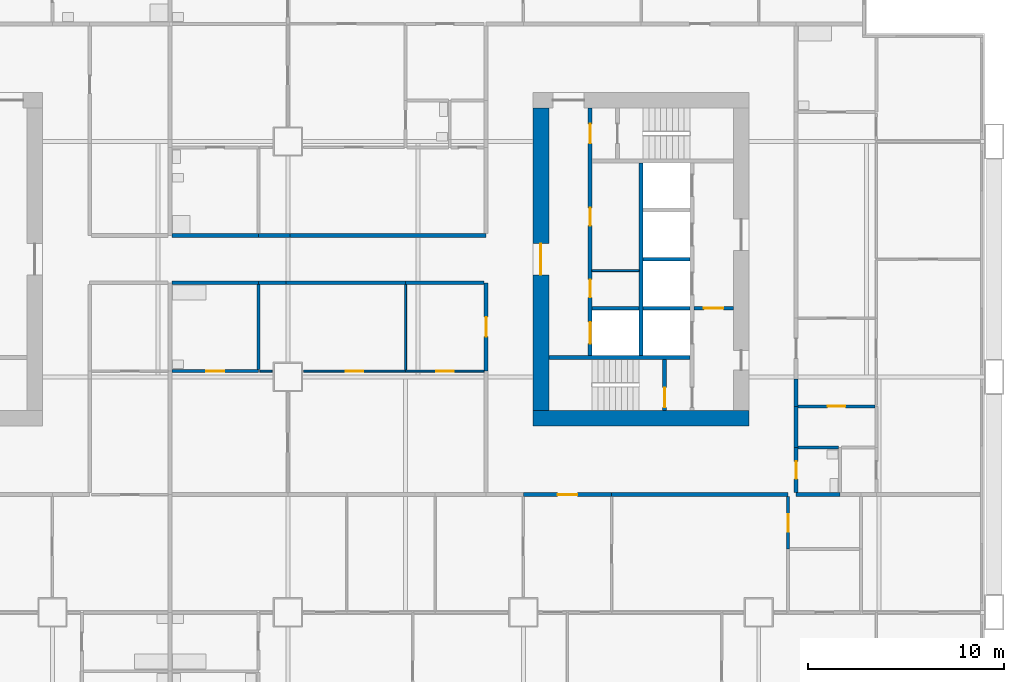
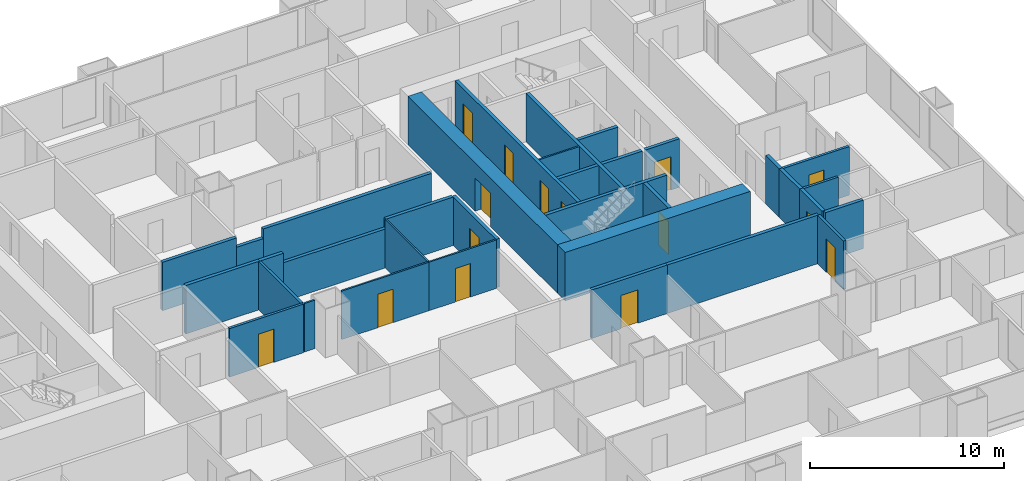
# One storey, part 6 of 13: 34 walls, 15 doors, 15 openings.
"""IFC4 building model written with IfcOpenShell, lengths in metres."""

from ifc_helpers import new_model, si_unit, direction, frame, frame_2d, origin, place, context, subcontext, project, spatial, rectangle, extrude, material, layer, layer_set, type_object, element, fill, save


model = new_model("IFC4")

# Units and contexts
model_context = context("Model", 3, precision=1e-05, world=origin(), true_north=direction((0.0, 1.0)))
body_context = subcontext(model_context, "Body", "Model", "MODEL_VIEW")
ifc_project = project(units=[si_unit("LENGTHUNIT", "METRE"), si_unit("AREAUNIT", "SQUARE_METRE"), si_unit("VOLUMEUNIT", "CUBIC_METRE"), si_unit("PLANEANGLEUNIT", "RADIAN"), si_unit("MASSUNIT", "GRAM", prefix="KILO")], contexts=[model_context])

# Site, building, storey
site_placement = place(None, origin())
site = spatial("IfcSite", under=ifc_project, at=site_placement, CompositionType="ELEMENT")
building_placement = place(site_placement, origin())
building = spatial("IfcBuilding", under=site, at=building_placement, Name="Kitamizu Gate Tower and Museum", CompositionType="ELEMENT")
storey_placement = place(building_placement, frame((0.0, 0.0, 40.35009765625)))
storey = spatial("IfcBuildingStorey", under=building, at=storey_placement, Name="L08", CompositionType="ELEMENT", Elevation=40.35009765625)

# Wall
ifc_material_1 = material(Name="Concrete Fc60", Category="concrete")
ifc_layer_1 = layer(ifc_material_1, 0.800048828125)
ifc_layer_set_1 = layer_set([ifc_layer_1], Name="Concrete Fc60")
wall_type_1 = type_object("IfcWallType", Name="Core wall 800", PredefinedType="SHEAR", material=ifc_layer_set_1)
wall_1_placement = place(storey_placement, frame((59.5, 21.89990234375, 0.0), z_axis=(0.0, 0.0, 1.0), x_axis=(-1.0, 0.0, 0.0)))
element("IfcWall", 1, at=wall_1_placement, inside=storey, type_object=wall_type_1, Name="Core wall ES", PredefinedType="SHEAR", context=body_context, shape_type="SweptSolid", body=[
    extrude(rectangle(XDim=11.0, YDim=0.800048828125, at=frame_2d((5.5, 0.0))), origin(), (0.0, 0.0, 1.0), 3.0498046875),
])

# Wall, opening, door
wall_2_placement = place(storey_placement, frame((48.89990234375, 22.300048828125, 0.0), z_axis=(0.0, 0.0, 1.0), x_axis=(0.0, 1.0, 0.0)))
wall_2 = element("IfcWall", 2, at=wall_2_placement, inside=storey, type_object=wall_type_1, Name="Core wall EARC", PredefinedType="SHEAR", context=body_context, shape_type="SweptSolid", body=[
    extrude(rectangle(XDim=15.39990234375, YDim=0.800048828125, at=frame_2d((7.699951171875, 0.0))), origin(), (0.0, 0.0, 1.0), 3.0498046875),
])
opening_1_placement = place(wall_2_placement, frame((6.89990234375, 0.0, 0.0)))
opening_1 = element("IfcOpeningElement", 3, at=opening_1_placement, cuts=wall_2, Name="Opening L08-098", PredefinedType="OPENING", context=body_context, shape_type="SweptSolid", body=[
    extrude(rectangle(XDim=1.60009765625, YDim=2.10009765625, at=frame_2d((0.800048828125, 1.050048828125))), frame((0.0, 0.41015625, 0.0), z_axis=(0.0, -1.0, 0.0), x_axis=(1.0, 0.0, 0.0)), (0.0, 0.0, 1.0), 0.820068359375),
])
ifc_material_2 = material(Name="Timber door set", Category="wood")
door_type_1 = type_object("IfcDoorType", Name="Entrance door 1600", OperationType="DOUBLE_DOOR_SINGLE_SWING", PredefinedType="DOOR", material=ifc_material_2)
door_1_placement = place(opening_1_placement, origin())
door_1 = element("IfcDoor", 4, at=door_1_placement, inside=storey, type_object=door_type_1, Name="Lobby door L08-098", OperationType="DOUBLE_DOOR_SINGLE_SWING", OverallHeight=2.10009765625, OverallWidth=1.60009765625, PredefinedType="DOOR", context=body_context, shape_type="SweptSolid", body=[
    extrude(rectangle(XDim=1.60009765625, YDim=2.10009765625, at=frame_2d((0.800048828125, 1.050048828125))), frame((0.0, 0.02490234375, 0.0), z_axis=(0.0, -1.0, 0.0), x_axis=(1.0, 0.0, 0.0)), (0.0, 0.0, 1.0), 0.050048828125),
])
fill(opening_1, door_1)

# Walls
ifc_material_3 = material(Name="Gypsum board on galvanised stud")
ifc_layer_2 = layer(ifc_material_3, 0.10009765625)
ifc_layer_set_2 = layer_set([ifc_layer_2], Name="Gypsum board on galvanised stud")
wall_type_2 = type_object("IfcWallType", Name="Partition 100", PredefinedType="PARTITIONING", material=ifc_layer_set_2)
wall_3_placement = place(storey_placement, frame((53.89990234375, 29.425048828125, 0.0), z_axis=(0.0, 0.0, 1.0), x_axis=(-1.0, 0.0, 0.0)))
element("IfcWall", 5, at=wall_3_placement, inside=storey, type_object=wall_type_2, Name="Partition EPF1", PredefinedType="PARTITIONING", context=body_context, shape_type="SweptSolid", body=[
    extrude(rectangle(XDim=2.39990234375, YDim=0.10009765625, at=frame_2d((1.199951171875, 0.0))), origin(), (0.0, 0.0, 1.0), 3.0498046875),
])
ifc_material_4 = material(Name="Gypsum board on galvanised stud")
ifc_layer_3 = layer(ifc_material_4, 0.10009765625)
ifc_layer_set_3 = layer_set([ifc_layer_3], Name="Gypsum board on galvanised stud")
wall_type_3 = type_object("IfcWallType", Name="Partition 100 NOT RATED", PredefinedType="PARTITIONING", material=ifc_layer_set_3)
wall_4_placement = place(storey_placement, frame((35.199951171875, 24.300048828125, 0.0), z_axis=(0.0, 0.0, 1.0), x_axis=(-1.0, 0.0, 0.0)))
element("IfcWall", 6, at=wall_4_placement, inside=storey, type_object=wall_type_3, Name="Partition L08-103", PredefinedType="PARTITIONING", context=body_context, shape_type="SweptSolid", body=[
    extrude(rectangle(XDim=0.625, YDim=0.10009765625, at=frame_2d((0.3125, 0.0))), origin(), (0.0, 0.0, 1.0), 3.0498046875),
])

# Wall, opening, door
wall_5_placement = place(storey_placement, frame((42.0, 24.300048828125, 0.0), z_axis=(0.0, 0.0, 1.0), x_axis=(-1.0, 0.0, 0.0)))
wall_5 = element("IfcWall", 7, at=wall_5_placement, inside=storey, type_object=wall_type_3, Name="Partition L08-104", PredefinedType="PARTITIONING", context=body_context, shape_type="SweptSolid", body=[
    extrude(rectangle(XDim=5.199951171875, YDim=0.10009765625, at=frame_2d((2.60009765625, 0.0))), origin(), (0.0, 0.0, 1.0), 3.0498046875),
])
opening_2_placement = place(wall_5_placement, frame((2.14990234375, 0.0, 0.0)))
opening_2 = element("IfcOpeningElement", 8, at=opening_2_placement, cuts=wall_5, Name="Opening L08-041", PredefinedType="OPENING", context=body_context, shape_type="SweptSolid", body=[
    extrude(rectangle(XDim=0.89990234375, YDim=2.10009765625, at=frame_2d((0.449951171875, 1.050048828125))), frame((0.0, 0.06005859375, 0.0), z_axis=(0.0, -1.0, 0.0), x_axis=(1.0, 0.0, 0.0)), (0.0, 0.0, 1.0), 0.1201171875),
])
ifc_material_5 = material(Name="Timber door set", Category="wood")
door_type_2 = type_object("IfcDoorType", Name="Room door 900", OperationType="NOTDEFINED", PredefinedType="DOOR", material=ifc_material_5)
door_2_placement = place(opening_2_placement, frame((0.89990234375, 0.0, 0.0), x_axis=(-1.0, 0.0, 0.0)))
door_2 = element("IfcDoor", 9, at=door_2_placement, inside=storey, type_object=door_type_2, Name="Door L08-041", OperationType="SINGLE_SWING_RIGHT", OverallHeight=2.10009765625, OverallWidth=0.89990234375, PredefinedType="DOOR", context=body_context, shape_type="SweptSolid", body=[
    extrude(rectangle(XDim=0.89990234375, YDim=2.10009765625, at=frame_2d((0.449951171875, 1.050048828125))), frame((0.0, 0.02490234375, 0.0), z_axis=(0.0, -1.0, 0.0), x_axis=(1.0, 0.0, 0.0)), (0.0, 0.0, 1.0), 0.050048828125),
])
fill(opening_2, door_2)

wall_6_placement = place(storey_placement, frame((46.0, 24.300048828125, 0.0), z_axis=(0.0, 0.0, 1.0), x_axis=(-1.0, 0.0, 0.0)))
wall_6 = element("IfcWall", 10, at=wall_6_placement, inside=storey, type_object=wall_type_3, Name="Partition L08-105", PredefinedType="PARTITIONING", context=body_context, shape_type="SweptSolid", body=[
    extrude(rectangle(XDim=4.0, YDim=0.10009765625, at=frame_2d((2.0, 0.0))), origin(), (0.0, 0.0, 1.0), 3.0498046875),
])
opening_3_placement = place(wall_6_placement, frame((1.550048828125, 0.0, 0.0)))
opening_3 = element("IfcOpeningElement", 11, at=opening_3_placement, cuts=wall_6, Name="Opening L08-038", PredefinedType="OPENING", context=body_context, shape_type="SweptSolid", body=[
    extrude(rectangle(XDim=0.89990234375, YDim=2.10009765625, at=frame_2d((0.449951171875, 1.050048828125))), frame((0.0, 0.06005859375, 0.0), z_axis=(0.0, -1.0, 0.0), x_axis=(1.0, 0.0, 0.0)), (0.0, 0.0, 1.0), 0.1201171875),
])
door_3_placement = place(opening_3_placement, origin())
door_3 = element("IfcDoor", 12, at=door_3_placement, inside=storey, type_object=door_type_2, Name="Door L08-038", OperationType="SINGLE_SWING_RIGHT", OverallHeight=2.10009765625, OverallWidth=0.89990234375, PredefinedType="DOOR", context=body_context, shape_type="SweptSolid", body=[
    extrude(rectangle(XDim=0.89990234375, YDim=2.10009765625, at=frame_2d((0.449951171875, 1.050048828125))), frame((0.0, 0.02490234375, 0.0), z_axis=(0.0, -1.0, 0.0), x_axis=(1.0, 0.0, 0.0)), (0.0, 0.0, 1.0), 0.050048828125),
])
fill(opening_3, door_3)

# Wall
wall_7_placement = place(storey_placement, frame((42.0, 24.35009765625, 0.0), z_axis=(0.0, 0.0, 1.0), x_axis=(0.0, 1.0, 0.0)))
element("IfcWall", 13, at=wall_7_placement, inside=storey, type_object=wall_type_3, Name="Partition L08-109", PredefinedType="PARTITIONING", context=body_context, shape_type="SweptSolid", body=[
    extrude(rectangle(XDim=4.349853515625, YDim=0.10009765625, at=frame_2d((2.1748046875, 0.0))), origin(), (0.0, 0.0, 1.0), 3.0498046875),
])

# Wall, opening, door
ifc_material_6 = material(Name="Gypsum board on galvanised stud")
ifc_layer_4 = layer(ifc_material_6, 0.14990234375)
ifc_layer_set_4 = layer_set([ifc_layer_4], Name="Gypsum board on galvanised stud")
wall_type_4 = type_object("IfcWallType", Name="Partition 150", PredefinedType="PARTITIONING", material=ifc_layer_set_4)
wall_8_placement = place(storey_placement, frame((61.5, 15.22900390625, 0.0), z_axis=(0.0, 0.0, 1.0), x_axis=(0.0, 1.0, 0.0)))
wall_8 = element("IfcWall", 14, at=wall_8_placement, inside=storey, type_object=wall_type_4, Name="Partition L08-092", PredefinedType="PARTITIONING", context=body_context, shape_type="SweptSolid", body=[
    extrude(rectangle(XDim=2.6708984375, YDim=0.14990234375, at=frame_2d((1.33544921875, 0.0))), origin(), (0.0, 0.0, 1.0), 3.0498046875),
])
opening_4_placement = place(wall_8_placement, frame((0.885498046875, 0.0, 0.0)))
opening_4 = element("IfcOpeningElement", 15, at=opening_4_placement, cuts=wall_8, Name="Opening L08-036", PredefinedType="OPENING", context=body_context, shape_type="SweptSolid", body=[
    extrude(rectangle(XDim=0.89990234375, YDim=2.10009765625, at=frame_2d((0.449951171875, 1.050048828125))), frame((0.0, 0.0849609375, 0.0), z_axis=(0.0, -1.0, 0.0), x_axis=(1.0, 0.0, 0.0)), (0.0, 0.0, 1.0), 0.169921875),
])
ifc_material_7 = material(Name="Timber door set", Category="wood")
door_type_3 = type_object("IfcDoorType", Name="Bathroom door 900", OperationType="NOTDEFINED", PredefinedType="DOOR", material=ifc_material_7)
door_4_placement = place(opening_4_placement, frame((0.89990234375, 0.0, 0.0), x_axis=(-1.0, 0.0, 0.0)))
door_4 = element("IfcDoor", 16, at=door_4_placement, inside=storey, type_object=door_type_3, Name="Bathroom door L08-036", OperationType="SINGLE_SWING_LEFT", OverallHeight=2.10009765625, OverallWidth=0.89990234375, PredefinedType="DOOR", context=body_context, shape_type="SweptSolid", body=[
    extrude(rectangle(XDim=0.89990234375, YDim=2.10009765625, at=frame_2d((0.449951171875, 1.050048828125))), frame((0.0, 0.02490234375, 0.0), z_axis=(0.0, -1.0, 0.0), x_axis=(1.0, 0.0, 0.0)), (0.0, 0.0, 1.0), 0.050048828125),
])
fill(opening_4, door_4)

wall_9_placement = place(storey_placement, frame((34.5, 24.300048828125, 0.0), z_axis=(0.0, 0.0, 1.0), x_axis=(-1.0, 0.0, 0.0)))
wall_9 = element("IfcWall", 17, at=wall_9_placement, inside=storey, type_object=wall_type_4, Name="Partition L08-102", PredefinedType="PARTITIONING", context=body_context, shape_type="SweptSolid", body=[
    extrude(rectangle(XDim=4.39990234375, YDim=0.14990234375, at=frame_2d((2.199951171875, 0.0))), origin(), (0.0, 0.0, 1.0), 3.0498046875),
])
opening_5_placement = place(wall_9_placement, frame((1.75, 0.0, 0.0)))
opening_5 = element("IfcOpeningElement", 18, at=opening_5_placement, cuts=wall_9, Name="Opening L08-040", PredefinedType="OPENING", context=body_context, shape_type="SweptSolid", body=[
    extrude(rectangle(XDim=0.89990234375, YDim=2.10009765625, at=frame_2d((0.449951171875, 1.050048828125))), frame((0.0, 0.0849609375, 0.0), z_axis=(0.0, -1.0, 0.0), x_axis=(1.0, 0.0, 0.0)), (0.0, 0.0, 1.0), 0.169921875),
])
door_5_placement = place(opening_5_placement, frame((0.89990234375, 0.0, 0.0), x_axis=(-1.0, 0.0, 0.0)))
door_5 = element("IfcDoor", 19, at=door_5_placement, inside=storey, type_object=door_type_3, Name="Bathroom door L08-040", OperationType="SINGLE_SWING_LEFT", OverallHeight=2.10009765625, OverallWidth=0.89990234375, PredefinedType="DOOR", context=body_context, shape_type="SweptSolid", body=[
    extrude(rectangle(XDim=0.89990234375, YDim=2.10009765625, at=frame_2d((0.449951171875, 1.050048828125))), frame((0.0, 0.02490234375, 0.0), z_axis=(0.0, -1.0, 0.0), x_axis=(1.0, 0.0, 0.0)), (0.0, 0.0, 1.0), 0.050048828125),
])
fill(opening_5, door_5)

# Walls
wall_10_placement = place(storey_placement, frame((34.5, 24.375, 0.0), z_axis=(0.0, 0.0, 1.0), x_axis=(0.0, 1.0, 0.0)))
element("IfcWall", 20, at=wall_10_placement, inside=storey, type_object=wall_type_4, Name="Partition L08-107", PredefinedType="PARTITIONING", context=body_context, shape_type="SweptSolid", body=[
    extrude(rectangle(XDim=4.324951171875, YDim=0.14990234375, at=frame_2d((2.16259765625, 0.0))), origin(), (0.0, 0.0, 1.0), 3.0498046875),
])
wall_11_placement = place(storey_placement, frame((64.074951171875, 20.39990234375, 0.0), z_axis=(0.0, 0.0, 1.0), x_axis=(-1.0, 0.0, 0.0)))
element("IfcWall", 21, at=wall_11_placement, inside=storey, type_object=wall_type_4, Name="Partition L08-202", PredefinedType="PARTITIONING", context=body_context, shape_type="SweptSolid", body=[
    extrude(rectangle(XDim=2.074951171875, YDim=0.14990234375, at=frame_2d((1.03759765625, 0.0))), origin(), (0.0, 0.0, 1.0), 3.0498046875),
])

# Wall, opening, door
wall_12_placement = place(storey_placement, frame((65.925048828125, 22.5, 0.0), z_axis=(0.0, 0.0, 1.0), x_axis=(-1.0, 0.0, 0.0)))
wall_12 = element("IfcWall", 22, at=wall_12_placement, inside=storey, type_object=wall_type_4, Name="Partition L08-205", PredefinedType="PARTITIONING", context=body_context, shape_type="SweptSolid", body=[
    extrude(rectangle(XDim=3.925048828125, YDim=0.14990234375, at=frame_2d((1.96240234375, 0.0))), origin(), (0.0, 0.0, 1.0), 3.0498046875),
])
opening_6_placement = place(wall_12_placement, frame((1.512451171875, 0.0, 0.0)))
opening_6 = element("IfcOpeningElement", 23, at=opening_6_placement, cuts=wall_12, Name="Opening L08-075", PredefinedType="OPENING", context=body_context, shape_type="SweptSolid", body=[
    extrude(rectangle(XDim=0.89990234375, YDim=2.10009765625, at=frame_2d((0.449951171875, 1.050048828125))), frame((0.0, 0.0849609375, 0.0), z_axis=(0.0, -1.0, 0.0), x_axis=(1.0, 0.0, 0.0)), (0.0, 0.0, 1.0), 0.169921875),
])
door_6_placement = place(opening_6_placement, origin())
door_6 = element("IfcDoor", 24, at=door_6_placement, inside=storey, type_object=door_type_3, Name="Bathroom door L08-075", OperationType="SINGLE_SWING_RIGHT", OverallHeight=2.10009765625, OverallWidth=0.89990234375, PredefinedType="DOOR", context=body_context, shape_type="SweptSolid", body=[
    extrude(rectangle(XDim=0.89990234375, YDim=2.10009765625, at=frame_2d((0.449951171875, 1.050048828125))), frame((0.0, 0.02490234375, 0.0), z_axis=(0.0, -1.0, 0.0), x_axis=(1.0, 0.0, 0.0)), (0.0, 0.0, 1.0), 0.050048828125),
])
fill(opening_6, door_6)

ifc_material_8 = material(Name="Gypsum board on galvanised stud")
ifc_layer_5 = layer(ifc_material_8, 0.199951171875)
ifc_layer_set_5 = layer_set([ifc_layer_5], Name="Gypsum board on galvanised stud")
wall_type_5 = type_object("IfcWallType", Name="Partition 200", PredefinedType="PARTITIONING", material=ifc_layer_set_5)
wall_13_placement = place(storey_placement, frame((52.5, 18.0, 0.0), z_axis=(0.0, 0.0, 1.0), x_axis=(-1.0, 0.0, 0.0)))
wall_13 = element("IfcWall", 25, at=wall_13_placement, inside=storey, type_object=wall_type_5, Name="Partition L08-090", PredefinedType="PARTITIONING", context=body_context, shape_type="SweptSolid", body=[
    extrude(rectangle(XDim=4.5, YDim=0.199951171875, at=frame_2d((2.25, 0.0))), origin(), (0.0, 0.0, 1.0), 3.0498046875),
])
opening_7_placement = place(wall_13_placement, frame((1.75, 0.0, 0.0)))
opening_7 = element("IfcOpeningElement", 26, at=opening_7_placement, cuts=wall_13, Name="Opening L08-017", PredefinedType="OPENING", context=body_context, shape_type="SweptSolid", body=[
    extrude(rectangle(XDim=1.0, YDim=2.10009765625, at=frame_2d((0.5, 1.050048828125))), frame((0.0, 0.10986328125, 0.0), z_axis=(0.0, -1.0, 0.0), x_axis=(1.0, 0.0, 0.0)), (0.0, 0.0, 1.0), 0.219970703125),
])
ifc_material_9 = material(Name="Timber door set", Category="wood")
door_type_4 = type_object("IfcDoorType", Name="Flat entrance door 1000", OperationType="NOTDEFINED", PredefinedType="DOOR", material=ifc_material_9)
door_7_placement = place(opening_7_placement, origin())
door_7 = element("IfcDoor", 27, at=door_7_placement, inside=storey, type_object=door_type_4, Name="Flat entrance door L08-017", OperationType="SINGLE_SWING_RIGHT", OverallHeight=2.10009765625, OverallWidth=1.0, PredefinedType="DOOR", context=body_context, shape_type="SweptSolid", body=[
    extrude(rectangle(XDim=1.0, YDim=2.10009765625, at=frame_2d((0.5, 1.050048828125))), frame((0.0, 0.02490234375, 0.0), z_axis=(0.0, -1.0, 0.0), x_axis=(1.0, 0.0, 0.0)), (0.0, 0.0, 1.0), 0.050048828125),
])
fill(opening_7, door_7)

# Walls
wall_14_placement = place(storey_placement, frame((61.5, 18.0, 0.0), z_axis=(0.0, 0.0, 1.0), x_axis=(-1.0, 0.0, 0.0)))
element("IfcWall", 28, at=wall_14_placement, inside=storey, type_object=wall_type_5, Name="Partition L08-093", PredefinedType="PARTITIONING", context=body_context, shape_type="SweptSolid", body=[
    extrude(rectangle(XDim=9.0, YDim=0.199951171875, at=frame_2d((4.5, 0.0))), origin(), (0.0, 0.0, 1.0), 3.0498046875),
])
wall_15_placement = place(storey_placement, frame((64.14990234375, 18.0, 0.0), z_axis=(0.0, 0.0, 1.0), x_axis=(-1.0, 0.0, 0.0)))
element("IfcWall", 29, at=wall_15_placement, inside=storey, type_object=wall_type_5, Name="Partition L08-099", PredefinedType="PARTITIONING", context=body_context, shape_type="SweptSolid", body=[
    extrude(rectangle(XDim=2.25, YDim=0.199951171875, at=frame_2d((1.125, 0.0))), origin(), (0.0, 0.0, 1.0), 3.0498046875),
])
wall_16_placement = place(storey_placement, frame((34.5, 28.800048828125, 0.0), z_axis=(0.0, 0.0, 1.0), x_axis=(-1.0, 0.0, 0.0)))
element("IfcWall", 30, at=wall_16_placement, inside=storey, type_object=wall_type_5, Name="Partition L08-108", PredefinedType="PARTITIONING", context=body_context, shape_type="SweptSolid", body=[
    extrude(rectangle(XDim=4.39990234375, YDim=0.199951171875, at=frame_2d((2.199951171875, 0.0))), origin(), (0.0, 0.0, 1.0), 3.0498046875),
])
wall_17_placement = place(storey_placement, frame((42.0, 28.800048828125, 0.0), z_axis=(0.0, 0.0, 1.0), x_axis=(-1.0, 0.0, 0.0)))
element("IfcWall", 31, at=wall_17_placement, inside=storey, type_object=wall_type_5, Name="Partition L08-110", PredefinedType="PARTITIONING", context=body_context, shape_type="SweptSolid", body=[
    extrude(rectangle(XDim=6.10009765625, YDim=0.199951171875, at=frame_2d((3.050048828125, 0.0))), origin(), (0.0, 0.0, 1.0), 2.449951171875),
])
wall_18_placement = place(storey_placement, frame((35.89990234375, 28.800048828125, 0.0), z_axis=(0.0, 0.0, 1.0), x_axis=(-1.0, 0.0, 0.0)))
element("IfcWall", 32, at=wall_18_placement, inside=storey, type_object=wall_type_5, Name="Partition L08-111", PredefinedType="PARTITIONING", context=body_context, shape_type="SweptSolid", body=[
    extrude(rectangle(XDim=1.39990234375, YDim=0.199951171875, at=frame_2d((0.699951171875, 0.0))), origin(), (0.0, 0.0, 1.0), 3.0498046875),
])

# Wall, opening, door
wall_19_placement = place(storey_placement, frame((46.10009765625, 24.300048828125, 0.0), z_axis=(0.0, 0.0, 1.0), x_axis=(0.0, 1.0, 0.0)))
wall_19 = element("IfcWall", 33, at=wall_19_placement, inside=storey, type_object=wall_type_5, Name="Partition L08-112", PredefinedType="PARTITIONING", context=body_context, shape_type="SweptSolid", body=[
    extrude(rectangle(XDim=4.5, YDim=0.199951171875, at=frame_2d((2.25, 0.0))), origin(), (0.0, 0.0, 1.0), 3.0498046875),
])
opening_8_placement = place(wall_19_placement, frame((1.75, 0.0, 0.0)))
opening_8 = element("IfcOpeningElement", 34, at=opening_8_placement, cuts=wall_19, Name="Opening L08-037", PredefinedType="OPENING", context=body_context, shape_type="SweptSolid", body=[
    extrude(rectangle(XDim=1.0, YDim=2.10009765625, at=frame_2d((0.5, 1.050048828125))), frame((0.0, 0.10986328125, 0.0), z_axis=(0.0, -1.0, 0.0), x_axis=(1.0, 0.0, 0.0)), (0.0, 0.0, 1.0), 0.219970703125),
])
door_8_placement = place(opening_8_placement, origin())
door_8 = element("IfcDoor", 35, at=door_8_placement, inside=storey, type_object=door_type_4, Name="Flat entrance door L08-037", OperationType="SINGLE_SWING_LEFT", OverallHeight=2.10009765625, OverallWidth=1.0, PredefinedType="DOOR", context=body_context, shape_type="SweptSolid", body=[
    extrude(rectangle(XDim=1.0, YDim=2.10009765625, at=frame_2d((0.5, 1.050048828125))), frame((0.0, 0.02490234375, 0.0), z_axis=(0.0, -1.0, 0.0), x_axis=(1.0, 0.0, 0.0)), (0.0, 0.0, 1.0), 0.050048828125),
])
fill(opening_8, door_8)

# Walls
wall_20_placement = place(storey_placement, frame((46.0, 28.800048828125, 0.0), z_axis=(0.0, 0.0, 1.0), x_axis=(-1.0, 0.0, 0.0)))
element("IfcWall", 36, at=wall_20_placement, inside=storey, type_object=wall_type_5, Name="Partition L08-113", PredefinedType="PARTITIONING", context=body_context, shape_type="SweptSolid", body=[
    extrude(rectangle(XDim=4.0, YDim=0.199951171875, at=frame_2d((2.0, 0.0))), origin(), (0.0, 0.0, 1.0), 3.0498046875),
])
wall_21_placement = place(storey_placement, frame((30.10009765625, 31.199951171875, 0.0), z_axis=(0.0, 0.0, 1.0), x_axis=(1.0, 0.0, 0.0)))
element("IfcWall", 37, at=wall_21_placement, inside=storey, type_object=wall_type_5, Name="Partition L08-187", PredefinedType="PARTITIONING", context=body_context, shape_type="SweptSolid", body=[
    extrude(rectangle(XDim=4.39990234375, YDim=0.199951171875, at=frame_2d((2.199951171875, 0.0))), origin(), (0.0, 0.0, 1.0), 3.0498046875),
])
wall_22_placement = place(storey_placement, frame((34.5, 31.199951171875, 0.0), z_axis=(0.0, 0.0, 1.0), x_axis=(1.0, 0.0, 0.0)))
element("IfcWall", 38, at=wall_22_placement, inside=storey, type_object=wall_type_5, Name="Partition L08-188", PredefinedType="PARTITIONING", context=body_context, shape_type="SweptSolid", body=[
    extrude(rectangle(XDim=1.60009765625, YDim=0.199951171875, at=frame_2d((0.800048828125, 0.0))), origin(), (0.0, 0.0, 1.0), 2.449951171875),
])
wall_23_placement = place(storey_placement, frame((36.10009765625, 31.199951171875, 0.0), z_axis=(0.0, 0.0, 1.0), x_axis=(1.0, 0.0, 0.0)))
element("IfcWall", 39, at=wall_23_placement, inside=storey, type_object=wall_type_5, Name="Partition L08-189", PredefinedType="PARTITIONING", context=body_context, shape_type="SweptSolid", body=[
    extrude(rectangle(XDim=10.0, YDim=0.199951171875, at=frame_2d((5.0, 0.0))), origin(), (0.0, 0.0, 1.0), 3.0498046875),
])

# Wall, opening, door
wall_24_placement = place(storey_placement, frame((61.89990234375, 20.39990234375, 0.0), z_axis=(0.0, 0.0, 1.0), x_axis=(0.0, -1.0, 0.0)))
wall_24 = element("IfcWall", 40, at=wall_24_placement, inside=storey, type_object=wall_type_5, Name="Partition L08-203", PredefinedType="PARTITIONING", context=body_context, shape_type="SweptSolid", body=[
    extrude(rectangle(XDim=2.2998046875, YDim=0.199951171875, at=frame_2d((1.14990234375, 0.0))), origin(), (0.0, 0.0, 1.0), 3.0498046875),
])
opening_9_placement = place(wall_24_placement, frame((0.699951171875, 0.0, 0.0)))
opening_9 = element("IfcOpeningElement", 41, at=opening_9_placement, cuts=wall_24, Name="Opening L08-077", PredefinedType="OPENING", context=body_context, shape_type="SweptSolid", body=[
    extrude(rectangle(XDim=0.89990234375, YDim=2.10009765625, at=frame_2d((0.449951171875, 1.050048828125))), frame((0.0, 0.10986328125, 0.0), z_axis=(0.0, -1.0, 0.0), x_axis=(1.0, 0.0, 0.0)), (0.0, 0.0, 1.0), 0.219970703125),
])
ifc_material_10 = material(Name="Timber door set", Category="wood")
door_type_5 = type_object("IfcDoorType", Name="Store door 900", OperationType="NOTDEFINED", PredefinedType="DOOR", material=ifc_material_10)
door_9_placement = place(opening_9_placement, origin())
door_9 = element("IfcDoor", 42, at=door_9_placement, inside=storey, type_object=door_type_5, Name="Service entrance door L08-077", OperationType="SINGLE_SWING_RIGHT", OverallHeight=2.10009765625, OverallWidth=0.89990234375, PredefinedType="DOOR", context=body_context, shape_type="SweptSolid", body=[
    extrude(rectangle(XDim=0.89990234375, YDim=2.10009765625, at=frame_2d((0.449951171875, 1.050048828125))), frame((0.0, 0.02490234375, 0.0), z_axis=(0.0, -1.0, 0.0), x_axis=(1.0, 0.0, 0.0)), (0.0, 0.0, 1.0), 0.050048828125),
])
fill(opening_9, door_9)

# Walls
wall_25_placement = place(storey_placement, frame((61.89990234375, 22.5, 0.0), z_axis=(0.0, 0.0, 1.0), x_axis=(0.0, -1.0, 0.0)))
element("IfcWall", 43, at=wall_25_placement, inside=storey, type_object=wall_type_5, Name="Partition L08-206", PredefinedType="PARTITIONING", context=body_context, shape_type="SweptSolid", body=[
    extrude(rectangle(XDim=2.10009765625, YDim=0.199951171875, at=frame_2d((1.050048828125, 0.0))), origin(), (0.0, 0.0, 1.0), 3.0498046875),
])
wall_26_placement = place(storey_placement, frame((61.89990234375, 23.89990234375, 0.0), z_axis=(0.0, 0.0, 1.0), x_axis=(0.0, -1.0, 0.0)))
element("IfcWall", 44, at=wall_26_placement, inside=storey, type_object=wall_type_5, Name="Partition L08-209", PredefinedType="PARTITIONING", context=body_context, shape_type="SweptSolid", body=[
    extrude(rectangle(XDim=1.39990234375, YDim=0.199951171875, at=frame_2d((0.699951171875, 0.0))), origin(), (0.0, 0.0, 1.0), 3.0498046875),
])

# Wall, openings, doors
ifc_material_11 = material(Name="Concrete Fc42", Category="concrete")
ifc_layer_6 = layer(ifc_material_11, 0.199951171875)
ifc_layer_set_6 = layer_set([ifc_layer_6], Name="Concrete Fc42")
wall_type_6 = type_object("IfcWallType", Name="Shaft wall 200", PredefinedType="SOLIDWALL", material=ifc_layer_set_6)
wall_27_placement = place(storey_placement, frame((51.39990234375, 25.10009765625, 0.0), z_axis=(0.0, 0.0, 1.0), x_axis=(0.0, 1.0, 0.0)))
wall_27 = element("IfcWall", 45, at=wall_27_placement, inside=storey, type_object=wall_type_6, Name="Shaft wall EEAST", PredefinedType="SOLIDWALL", context=body_context, shape_type="SweptSolid", body=[
    extrude(rectangle(XDim=12.599853515625, YDim=0.199951171875, at=frame_2d((6.2998046875, 0.0))), origin(), (0.0, 0.0, 1.0), 3.0498046875),
])
opening_10_placement = place(wall_27_placement, frame((0.60009765625, 0.0, 0.0)))
opening_10 = element("IfcOpeningElement", 46, at=opening_10_placement, cuts=wall_27, Name="Opening LD", PredefinedType="OPENING", context=body_context, shape_type="SweptSolid", body=[
    extrude(rectangle(XDim=1.10009765625, YDim=2.10009765625, at=frame_2d((0.550048828125, 1.050048828125))), frame((0.0, 0.10986328125, 0.0), z_axis=(0.0, -1.0, 0.0), x_axis=(1.0, 0.0, 0.0)), (0.0, 0.0, 1.0), 0.219970703125),
])
opening_11_placement = place(wall_27_placement, frame((10.800048828125, 0.0, 0.0)))
opening_11 = element("IfcOpeningElement", 47, at=opening_11_placement, cuts=wall_27, Name="Opening L08-092", PredefinedType="OPENING", context=body_context, shape_type="SweptSolid", body=[
    extrude(rectangle(XDim=1.0, YDim=2.10009765625, at=frame_2d((0.5, 1.050048828125))), frame((0.0, 0.10986328125, 0.0), z_axis=(0.0, -1.0, 0.0), x_axis=(1.0, 0.0, 0.0)), (0.0, 0.0, 1.0), 0.219970703125),
])
opening_12_placement = place(wall_27_placement, frame((2.96240234375, 0.0, 0.0)))
opening_12 = element("IfcOpeningElement", 48, at=opening_12_placement, cuts=wall_27, Name="Opening L08-099", PredefinedType="OPENING", context=body_context, shape_type="SweptSolid", body=[
    extrude(rectangle(XDim=0.89990234375, YDim=2.10009765625, at=frame_2d((0.449951171875, 1.050048828125))), frame((0.0, 0.10986328125, 0.0), z_axis=(0.0, -1.0, 0.0), x_axis=(1.0, 0.0, 0.0)), (0.0, 0.0, 1.0), 0.219970703125),
])
opening_13_placement = place(wall_27_placement, frame((6.612548828125, 0.0, 0.0)))
opening_13 = element("IfcOpeningElement", 49, at=opening_13_placement, cuts=wall_27, Name="Opening L08-100", PredefinedType="OPENING", context=body_context, shape_type="SweptSolid", body=[
    extrude(rectangle(XDim=0.89990234375, YDim=2.10009765625, at=frame_2d((0.449951171875, 1.050048828125))), frame((0.0, 0.10986328125, 0.0), z_axis=(0.0, -1.0, 0.0), x_axis=(1.0, 0.0, 0.0)), (0.0, 0.0, 1.0), 0.219970703125),
])
ifc_material_12 = material(Name="Hollow metal door set")
door_type_6 = type_object("IfcDoorType", Name="Fire door 1000", OperationType="NOTDEFINED", PredefinedType="DOOR", material=ifc_material_12)
door_10_placement = place(opening_11_placement, frame((1.0, 0.0, 0.0), x_axis=(-1.0, 0.0, 0.0)))
door_10 = element("IfcDoor", 50, at=door_10_placement, inside=storey, type_object=door_type_6, Name="Stair lobby door L08-092", OperationType="SINGLE_SWING_LEFT", OverallHeight=2.10009765625, OverallWidth=1.0, PredefinedType="DOOR", context=body_context, shape_type="SweptSolid", body=[
    extrude(rectangle(XDim=1.0, YDim=2.10009765625, at=frame_2d((0.5, 1.050048828125))), frame((0.0, 0.02490234375, 0.0), z_axis=(0.0, -1.0, 0.0), x_axis=(1.0, 0.0, 0.0)), (0.0, 0.0, 1.0), 0.050048828125),
])
fill(opening_11, door_10)
ifc_material_13 = material(Name="Hollow metal door set")
door_type_7 = type_object("IfcDoorType", Name="Landing door 1100", OperationType="SLIDING_TO_LEFT", PredefinedType="DOOR", material=ifc_material_13)
door_11_placement = place(opening_10_placement, origin())
door_11 = element("IfcDoor", 51, at=door_11_placement, inside=storey, type_object=door_type_7, Name="Landing door ESV1", OperationType="SLIDING_TO_LEFT", OverallHeight=2.10009765625, OverallWidth=1.10009765625, PredefinedType="DOOR", context=body_context, shape_type="SweptSolid", body=[
    extrude(rectangle(XDim=1.10009765625, YDim=2.10009765625, at=frame_2d((0.550048828125, 1.050048828125))), frame((0.0, 0.02490234375, 0.0), z_axis=(0.0, -1.0, 0.0), x_axis=(1.0, 0.0, 0.0)), (0.0, 0.0, 1.0), 0.050048828125),
])
fill(opening_10, door_11)
ifc_material_14 = material(Name="Timber door set", Category="wood")
door_type_8 = type_object("IfcDoorType", Name="Service door 900", OperationType="NOTDEFINED", PredefinedType="DOOR", material=ifc_material_14)
door_12_placement = place(opening_12_placement, frame((0.89990234375, 0.0, 0.0), x_axis=(-1.0, 0.0, 0.0)))
door_12 = element("IfcDoor", 52, at=door_12_placement, inside=storey, type_object=door_type_8, Name="Service door L08-099", OperationType="SINGLE_SWING_LEFT", OverallHeight=2.10009765625, OverallWidth=0.89990234375, PredefinedType="DOOR", context=body_context, shape_type="SweptSolid", body=[
    extrude(rectangle(XDim=0.89990234375, YDim=2.10009765625, at=frame_2d((0.449951171875, 1.050048828125))), frame((0.0, 0.02490234375, 0.0), z_axis=(0.0, -1.0, 0.0), x_axis=(1.0, 0.0, 0.0)), (0.0, 0.0, 1.0), 0.050048828125),
])
fill(opening_12, door_12)
door_13_placement = place(opening_13_placement, frame((0.89990234375, 0.0, 0.0), x_axis=(-1.0, 0.0, 0.0)))
door_13 = element("IfcDoor", 53, at=door_13_placement, inside=storey, type_object=door_type_8, Name="Service door L08-100", OperationType="SINGLE_SWING_RIGHT", OverallHeight=2.10009765625, OverallWidth=0.89990234375, PredefinedType="DOOR", context=body_context, shape_type="SweptSolid", body=[
    extrude(rectangle(XDim=0.89990234375, YDim=2.10009765625, at=frame_2d((0.449951171875, 1.050048828125))), frame((0.0, 0.02490234375, 0.0), z_axis=(0.0, -1.0, 0.0), x_axis=(1.0, 0.0, 0.0)), (0.0, 0.0, 1.0), 0.050048828125),
])
fill(opening_13, door_13)

# Walls
wall_28_placement = place(storey_placement, frame((54.0, 25.10009765625, 0.0), z_axis=(0.0, 0.0, 1.0), x_axis=(0.0, 1.0, 0.0)))
element("IfcWall", 54, at=wall_28_placement, inside=storey, type_object=wall_type_6, Name="Shaft wall EMID", PredefinedType="SOLIDWALL", context=body_context, shape_type="SweptSolid", body=[
    extrude(rectangle(XDim=9.7998046875, YDim=0.199951171875, at=frame_2d((4.89990234375, 0.0))), origin(), (0.0, 0.0, 1.0), 3.0498046875),
])
wall_29_placement = place(storey_placement, frame((56.5, 25.0, 0.0), z_axis=(0.0, 0.0, 1.0), x_axis=(-1.0, 0.0, 0.0)))
element("IfcWall", 55, at=wall_29_placement, inside=storey, type_object=wall_type_6, Name="Shaft wall ESB", PredefinedType="SOLIDWALL", context=body_context, shape_type="SweptSolid", body=[
    extrude(rectangle(XDim=7.199951171875, YDim=0.199951171875, at=frame_2d((3.60009765625, 0.0))), origin(), (0.0, 0.0, 1.0), 3.0498046875),
])

# Wall, opening, door
wall_30_placement = place(storey_placement, frame((58.699951171875, 27.5, 0.0), z_axis=(0.0, 0.0, 1.0), x_axis=(-1.0, 0.0, 0.0)))
wall_30 = element("IfcWall", 56, at=wall_30_placement, inside=storey, type_object=wall_type_6, Name="Shaft wall EFFN", PredefinedType="SOLIDWALL", context=body_context, shape_type="SweptSolid", body=[
    extrude(rectangle(XDim=2.0, YDim=0.199951171875, at=frame_2d((1.0, 0.0))), origin(), (0.0, 0.0, 1.0), 3.0498046875),
])
opening_14_placement = place(wall_30_placement, frame((0.5, 0.0, 0.0)))
opening_14 = element("IfcOpeningElement", 57, at=opening_14_placement, cuts=wall_30, Name="Opening L08-094", PredefinedType="OPENING", context=body_context, shape_type="SweptSolid", body=[
    extrude(rectangle(XDim=1.0, YDim=2.10009765625, at=frame_2d((0.5, 1.050048828125))), frame((0.0, 0.10986328125, 0.0), z_axis=(0.0, -1.0, 0.0), x_axis=(1.0, 0.0, 0.0)), (0.0, 0.0, 1.0), 0.219970703125),
])
door_14_placement = place(opening_14_placement, origin())
door_14 = element("IfcDoor", 58, at=door_14_placement, inside=storey, type_object=door_type_6, Name="Fire-fighting lobby door L08-094", OperationType="SINGLE_SWING_RIGHT", OverallHeight=2.10009765625, OverallWidth=1.0, PredefinedType="DOOR", context=body_context, shape_type="SweptSolid", body=[
    extrude(rectangle(XDim=1.0, YDim=2.10009765625, at=frame_2d((0.5, 1.050048828125))), frame((0.0, 0.02490234375, 0.0), z_axis=(0.0, -1.0, 0.0), x_axis=(1.0, 0.0, 0.0)), (0.0, 0.0, 1.0), 0.050048828125),
])
fill(opening_14, door_14)

wall_31_placement = place(storey_placement, frame((55.199951171875, 22.300048828125, 0.0), z_axis=(0.0, 0.0, 1.0), x_axis=(0.0, 1.0, 0.0)))
wall_31 = element("IfcWall", 59, at=wall_31_placement, inside=storey, type_object=wall_type_6, Name="Shaft wall ESZ", PredefinedType="SOLIDWALL", context=body_context, shape_type="SweptSolid", body=[
    extrude(rectangle(XDim=2.599853515625, YDim=0.199951171875, at=frame_2d((1.2998046875, 0.0))), origin(), (0.0, 0.0, 1.0), 3.0498046875),
])
opening_15_placement = place(wall_31_placement, frame((0.14990234375, 0.0, 0.0)))
opening_15 = element("IfcOpeningElement", 60, at=opening_15_placement, cuts=wall_31, Name="Opening L08-090", PredefinedType="OPENING", context=body_context, shape_type="SweptSolid", body=[
    extrude(rectangle(XDim=1.0, YDim=2.10009765625, at=frame_2d((0.5, 1.050048828125))), frame((0.0, 0.10986328125, 0.0), z_axis=(0.0, -1.0, 0.0), x_axis=(1.0, 0.0, 0.0)), (0.0, 0.0, 1.0), 0.219970703125),
])
door_15_placement = place(opening_15_placement, origin())
door_15 = element("IfcDoor", 61, at=door_15_placement, inside=storey, type_object=door_type_6, Name="Stair door L08-090", OperationType="SINGLE_SWING_RIGHT", OverallHeight=2.10009765625, OverallWidth=1.0, PredefinedType="DOOR", context=body_context, shape_type="SweptSolid", body=[
    extrude(rectangle(XDim=1.0, YDim=2.10009765625, at=frame_2d((0.5, 1.050048828125))), frame((0.0, 0.02490234375, 0.0), z_axis=(0.0, -1.0, 0.0), x_axis=(1.0, 0.0, 0.0)), (0.0, 0.0, 1.0), 0.050048828125),
])
fill(opening_15, door_15)

# Walls
for number, where, z_axis, x_axis, name in (
    (62, (56.5, 27.5, 0.0), (0.0, 0.0, 1.0), (-1.0, 0.0, 0.0), "Shaft wall EDVW0"),
    (63, (56.5, 30.0, 0.0), (0.0, 0.0, 1.0), (-1.0, 0.0, 0.0), "Shaft wall EDVW1"),
    (64, (53.89990234375, 27.5, 0.0), (0.0, 0.0, 1.0), (-1.0, 0.0, 0.0), "Shaft wall EDVE0"),
):
    element("IfcWall", number, at=place(storey_placement, frame(where, z_axis=z_axis, x_axis=x_axis)), inside=storey, type_object=wall_type_6, Name=name, PredefinedType="SOLIDWALL", context=body_context, shape_type="SweptSolid", body=[
        extrude(rectangle(XDim=2.39990234375, YDim=0.199951171875, at=frame_2d((1.199951171875, 0.0))), origin(), (0.0, 0.0, 1.0), 3.0498046875),
    ])

save(model, "model.ifc")
